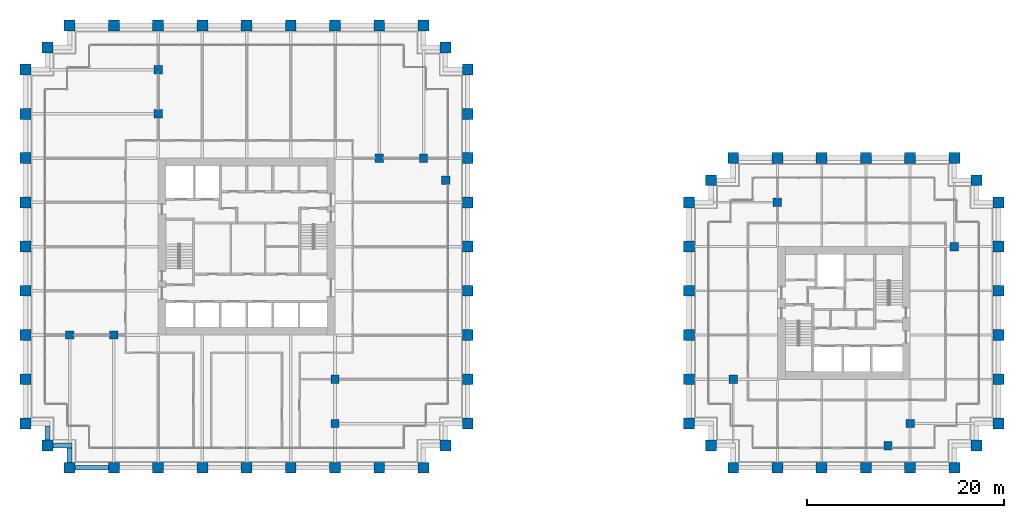
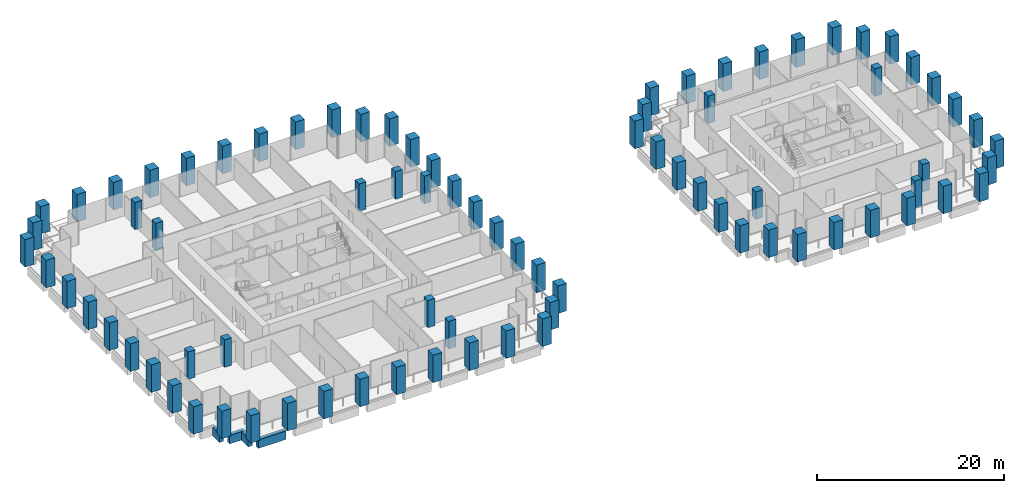
# One storey, part 1 of 56: 82 columns, 4 beams.
"""IFC4 building model written with IfcOpenShell, lengths in metres."""

from ifc_helpers import new_model, si_unit, direction, frame, origin, origin_2d, place, context, subcontext, project, spatial, rectangle, extrude, material, material_profile, profile_set, type_object, element, save


model = new_model("IFC4")

# Units and contexts
model_context = context("Model", 3, precision=1e-05, world=origin(), true_north=direction((0.0, 1.0)))
body_context = subcontext(model_context, "Body", "Model", "MODEL_VIEW")
ifc_project = project(units=[si_unit("LENGTHUNIT", "METRE"), si_unit("AREAUNIT", "SQUARE_METRE"), si_unit("VOLUMEUNIT", "CUBIC_METRE"), si_unit("PLANEANGLEUNIT", "RADIAN"), si_unit("MASSUNIT", "GRAM", prefix="KILO")], contexts=[model_context])

# Site, building, storey
site_placement = place(None, origin())
site = spatial("IfcSite", under=ifc_project, at=site_placement, CompositionType="ELEMENT")
building_placement = place(site_placement, origin())
building = spatial("IfcBuilding", under=site, at=building_placement, Name="Altepetl Exchange Towers", CompositionType="ELEMENT")
storey_placement = place(building_placement, frame((0.0, 0.0, 72.60009765625)))
storey = spatial("IfcBuildingStorey", under=building, at=storey_placement, Name="L17", CompositionType="ELEMENT", Elevation=72.60009765625)

# Columns
ifc_material_1 = material(Name="Concrete C70/85", Category="concrete")
ifc_material_profile_1 = material_profile(ifc_material_1, rectangle(XDim=0.85009765625, YDim=0.85009765625, at=origin_2d()), Name="850 x 850")
ifc_profile_set_1 = profile_set([ifc_material_profile_1], Name="Concrete C70/85")
column_type_1 = type_object("IfcColumnType", Name="Interior column 850", PredefinedType="COLUMN", material=ifc_profile_set_1)
for number, where, name in (
    (1, (31.5, 40.5, 0.0), "col:A:L17:040"),
    (2, (36.0, 40.5, 0.0), "col:A:L17:041"),
    (3, (40.5, 63.0, 0.0), "col:A:L17:042"),
    (4, (40.5, 67.5, 0.0), "col:A:L17:043"),
    (5, (58.5, 31.5, 0.0), "col:A:L17:044"),
    (6, (58.5, 36.0, 0.0), "col:A:L17:045"),
    (7, (63.0, 58.5, 0.0), "col:A:L17:046"),
    (8, (67.5, 58.5, 0.0), "col:A:L17:047"),
    (9, (69.75, 56.25, 0.0), "col:A:L17:048"),
    (10, (99.0, 36.0, 0.0), "col:B:L17:028"),
    (11, (103.5, 54.0, 0.0), "col:B:L17:029"),
    (12, (114.75, 29.25, 0.0), "col:B:L17:030"),
    (13, (117.0, 31.5, 0.0), "col:B:L17:031"),
    (14, (121.5, 49.5, 0.0), "col:B:L17:032"),
):
    element("IfcColumn", number, at=place(storey_placement, frame(where)), inside=storey, type_object=column_type_1, Name=name, PredefinedType="COLUMN", context=body_context, shape_type="SweptSolid", body=[
        extrude(rectangle(XDim=0.85009765625, YDim=0.85009765625, at=origin_2d()), origin(), (0.0, 0.0, 1.0), 3.599853515625),
    ])
ifc_material_2 = material(Name="Concrete C70/85 precast with cantera amarilla facing", Category="concrete")
ifc_material_profile_2 = material_profile(ifc_material_2, rectangle(XDim=1.10009765625, YDim=1.10009765625, at=origin_2d()), Name="1100 x 1100")
ifc_profile_set_2 = profile_set([ifc_material_profile_2], Name="Concrete C70/85 precast with cantera amarilla facing")
column_type_2 = type_object("IfcColumnType", Name="Perimeter column 1100 cantera amarilla", PredefinedType="COLUMN", material=ifc_profile_set_2)
for number, where, name in (
    (15, (58.5, 27.0, 0.0), "col:A:L17:006"),
    (16, (63.0, 27.0, 0.0), "col:A:L17:007"),
    (17, (67.5, 27.0, 0.0), "col:A:L17:008"),
    (18, (69.75, 29.25, 0.0), "col:A:L17:009"),
    (19, (72.0, 31.5, 0.0), "col:A:L17:010"),
    (20, (72.0, 36.0, 0.0), "col:A:L17:011"),
    (21, (72.0, 40.5, 0.0), "col:A:L17:012"),
    (22, (72.0, 45.0, 0.0), "col:A:L17:013"),
    (23, (72.0, 49.5, 0.0), "col:A:L17:014"),
    (24, (72.0, 54.0, 0.0), "col:A:L17:015"),
    (25, (126.0, 49.5, 0.0), "col:B:L17:011"),
    (26, (126.0, 54.0, 0.0), "col:B:L17:012"),
    (27, (123.75, 56.25, 0.0), "col:B:L17:013"),
    (28, (121.5, 58.5, 0.0), "col:B:L17:014"),
    (29, (117.0, 58.5, 0.0), "col:B:L17:015"),
    (30, (112.5, 58.5, 0.0), "col:B:L17:016"),
    (31, (108.0, 58.5, 0.0), "col:B:L17:017"),
):
    element("IfcColumn", number, at=place(storey_placement, frame(where)), inside=storey, type_object=column_type_2, Name=name, PredefinedType="COLUMN", context=body_context, shape_type="SweptSolid", body=[
        extrude(rectangle(XDim=1.10009765625, YDim=1.10009765625, at=origin_2d()), origin(), (0.0, 0.0, 1.0), 3.599853515625),
    ])
ifc_material_3 = material(Name="Concrete C70/85 precast with cantera blanca facing", Category="concrete")
ifc_material_profile_3 = material_profile(ifc_material_3, rectangle(XDim=1.10009765625, YDim=1.10009765625, at=origin_2d()), Name="1100 x 1100")
ifc_profile_set_3 = profile_set([ifc_material_profile_3], Name="Concrete C70/85 precast with cantera blanca facing")
column_type_3 = type_object("IfcColumnType", Name="Perimeter column 1100 cantera blanca", PredefinedType="COLUMN", material=ifc_profile_set_3)
for number, where, name in (
    (32, (31.5, 27.0, 0.0), "col:A:L17:000"),
    (33, (36.0, 27.0, 0.0), "col:A:L17:001"),
    (34, (40.5, 27.0, 0.0), "col:A:L17:002"),
    (35, (45.0, 27.0, 0.0), "col:A:L17:003"),
    (36, (49.5, 27.0, 0.0), "col:A:L17:004"),
    (37, (54.0, 27.0, 0.0), "col:A:L17:005"),
    (38, (27.0, 36.0, 0.0), "col:A:L17:037"),
    (39, (27.0, 31.5, 0.0), "col:A:L17:038"),
    (40, (29.25, 29.25, 0.0), "col:A:L17:039"),
    (41, (117.0, 27.0, 0.0), "col:B:L17:004"),
    (42, (121.5, 27.0, 0.0), "col:B:L17:005"),
    (43, (123.75, 29.25, 0.0), "col:B:L17:006"),
    (44, (126.0, 31.5, 0.0), "col:B:L17:007"),
    (45, (126.0, 36.0, 0.0), "col:B:L17:008"),
    (46, (126.0, 40.5, 0.0), "col:B:L17:009"),
    (47, (126.0, 45.0, 0.0), "col:B:L17:010"),
):
    element("IfcColumn", number, at=place(storey_placement, frame(where)), inside=storey, type_object=column_type_3, Name=name, PredefinedType="COLUMN", context=body_context, shape_type="SweptSolid", body=[
        extrude(rectangle(XDim=1.10009765625, YDim=1.10009765625, at=origin_2d()), origin(), (0.0, 0.0, 1.0), 3.599853515625),
    ])
ifc_material_4 = material(Name="Concrete C70/85 precast with cantera rosa facing", Category="concrete")
ifc_material_profile_4 = material_profile(ifc_material_4, rectangle(XDim=1.10009765625, YDim=1.10009765625, at=origin_2d()), Name="1100 x 1100")
ifc_profile_set_4 = profile_set([ifc_material_profile_4], Name="Concrete C70/85 precast with cantera rosa facing")
column_type_4 = type_object("IfcColumnType", Name="Perimeter column 1100 cantera rosa", PredefinedType="COLUMN", material=ifc_profile_set_4)
for number, where, name in (
    (48, (72.0, 58.5, 0.0), "col:A:L17:016"),
    (49, (72.0, 63.0, 0.0), "col:A:L17:017"),
    (50, (72.0, 67.5, 0.0), "col:A:L17:018"),
    (51, (69.75, 69.75, 0.0), "col:A:L17:019"),
    (52, (67.5, 72.0, 0.0), "col:A:L17:020"),
    (53, (63.0, 72.0, 0.0), "col:A:L17:021"),
    (54, (58.5, 72.0, 0.0), "col:A:L17:022"),
    (55, (54.0, 72.0, 0.0), "col:A:L17:023"),
    (56, (49.5, 72.0, 0.0), "col:A:L17:024"),
    (57, (45.0, 72.0, 0.0), "col:A:L17:025"),
    (58, (103.5, 58.5, 0.0), "col:B:L17:018"),
    (59, (99.0, 58.5, 0.0), "col:B:L17:019"),
    (60, (96.75, 56.25, 0.0), "col:B:L17:020"),
    (61, (94.5, 54.0, 0.0), "col:B:L17:021"),
    (62, (94.5, 49.5, 0.0), "col:B:L17:022"),
    (63, (94.5, 45.0, 0.0), "col:B:L17:023"),
    (64, (94.5, 40.5, 0.0), "col:B:L17:024"),
    (65, (94.5, 36.0, 0.0), "col:B:L17:025"),
):
    element("IfcColumn", number, at=place(storey_placement, frame(where)), inside=storey, type_object=column_type_4, Name=name, PredefinedType="COLUMN", context=body_context, shape_type="SweptSolid", body=[
        extrude(rectangle(XDim=1.10009765625, YDim=1.10009765625, at=origin_2d()), origin(), (0.0, 0.0, 1.0), 3.599853515625),
    ])
ifc_material_5 = material(Name="Concrete C70/85 precast with tezontle facing", Category="concrete")
ifc_material_profile_5 = material_profile(ifc_material_5, rectangle(XDim=1.10009765625, YDim=1.10009765625, at=origin_2d()), Name="1100 x 1100")
ifc_profile_set_5 = profile_set([ifc_material_profile_5], Name="Concrete C70/85 precast with tezontle facing")
column_type_5 = type_object("IfcColumnType", Name="Perimeter column 1100 tezontle", PredefinedType="COLUMN", material=ifc_profile_set_5)
for number, where, name in (
    (66, (40.5, 72.0, 0.0), "col:A:L17:026"),
    (67, (36.0, 72.0, 0.0), "col:A:L17:027"),
    (68, (31.5, 72.0, 0.0), "col:A:L17:028"),
    (69, (29.25, 69.75, 0.0), "col:A:L17:029"),
    (70, (27.0, 67.5, 0.0), "col:A:L17:030"),
    (71, (27.0, 63.0, 0.0), "col:A:L17:031"),
    (72, (27.0, 58.5, 0.0), "col:A:L17:032"),
    (73, (27.0, 54.0, 0.0), "col:A:L17:033"),
    (74, (27.0, 49.5, 0.0), "col:A:L17:034"),
    (75, (27.0, 45.0, 0.0), "col:A:L17:035"),
    (76, (27.0, 40.5, 0.0), "col:A:L17:036"),
    (77, (99.0, 27.0, 0.0), "col:B:L17:000"),
    (78, (103.5, 27.0, 0.0), "col:B:L17:001"),
    (79, (108.0, 27.0, 0.0), "col:B:L17:002"),
    (80, (112.5, 27.0, 0.0), "col:B:L17:003"),
    (81, (94.5, 31.5, 0.0), "col:B:L17:026"),
    (82, (96.75, 29.25, 0.0), "col:B:L17:027"),
):
    element("IfcColumn", number, at=place(storey_placement, frame(where)), inside=storey, type_object=column_type_5, Name=name, PredefinedType="COLUMN", context=body_context, shape_type="SweptSolid", body=[
        extrude(rectangle(XDim=1.10009765625, YDim=1.10009765625, at=origin_2d()), origin(), (0.0, 0.0, 1.0), 3.599853515625),
    ])

# Beams
ifc_material_6 = material(Name="Concrete C50/60 precast with cantera blanca facing", Category="concrete")
ifc_material_profile_6 = material_profile(ifc_material_6, rectangle(XDim=0.5, YDim=1.10009765625, at=origin_2d()), Name="500 x 1100")
ifc_profile_set_6 = profile_set([ifc_material_profile_6], Name="Concrete C50/60 precast with cantera blanca facing")
beam_type = type_object("IfcBeamType", Name="Spandrel beam 500x1100 cantera blanca", PredefinedType="SPANDREL", material=ifc_profile_set_6)
beam_1_placement = place(storey_placement, frame((32.050048828125, 27.0, -0.7001953125), z_axis=(1.0, 0.0, 0.0), x_axis=(0.0, 1.0, 0.0)))
element("IfcBeam", 83, at=beam_1_placement, inside=storey, type_object=beam_type, Name="sp:A:L17:000", PredefinedType="SPANDREL", context=body_context, shape_type="SweptSolid", body=[
    extrude(rectangle(XDim=0.5, YDim=1.10009765625, at=origin_2d()), origin(), (0.0, 0.0, 1.0), 3.39990234375),
])
beam_2_placement = place(storey_placement, frame((29.25, 31.25, -0.7001953125), z_axis=(0.0, -1.0, 0.0), x_axis=(1.0, 0.0, 0.0)))
element("IfcBeam", 84, at=beam_2_placement, inside=storey, type_object=beam_type, Name="sp:A:L17:045", PredefinedType="SPANDREL", context=body_context, shape_type="SweptSolid", body=[
    extrude(rectangle(XDim=0.5, YDim=1.10009765625, at=origin_2d()), origin(), (0.0, 0.0, 1.0), 1.449951171875),
])
beam_3_placement = place(storey_placement, frame((29.800048828125, 29.25, -0.7001953125), z_axis=(1.0, 0.0, 0.0), x_axis=(0.0, 1.0, 0.0)))
element("IfcBeam", 85, at=beam_3_placement, inside=storey, type_object=beam_type, Name="sp:A:L17:046", PredefinedType="SPANDREL", context=body_context, shape_type="SweptSolid", body=[
    extrude(rectangle(XDim=0.5, YDim=1.10009765625, at=origin_2d()), origin(), (0.0, 0.0, 1.0), 1.949951171875),
])
beam_4_placement = place(storey_placement, frame((31.5, 29.0, -0.7001953125), z_axis=(0.0, -1.0, 0.0), x_axis=(1.0, 0.0, 0.0)))
element("IfcBeam", 86, at=beam_4_placement, inside=storey, type_object=beam_type, Name="sp:A:L17:047", PredefinedType="SPANDREL", context=body_context, shape_type="SweptSolid", body=[
    extrude(rectangle(XDim=0.5, YDim=1.10009765625, at=origin_2d()), origin(), (0.0, 0.0, 1.0), 1.449951171875),
])

save(model, "model.ifc")
